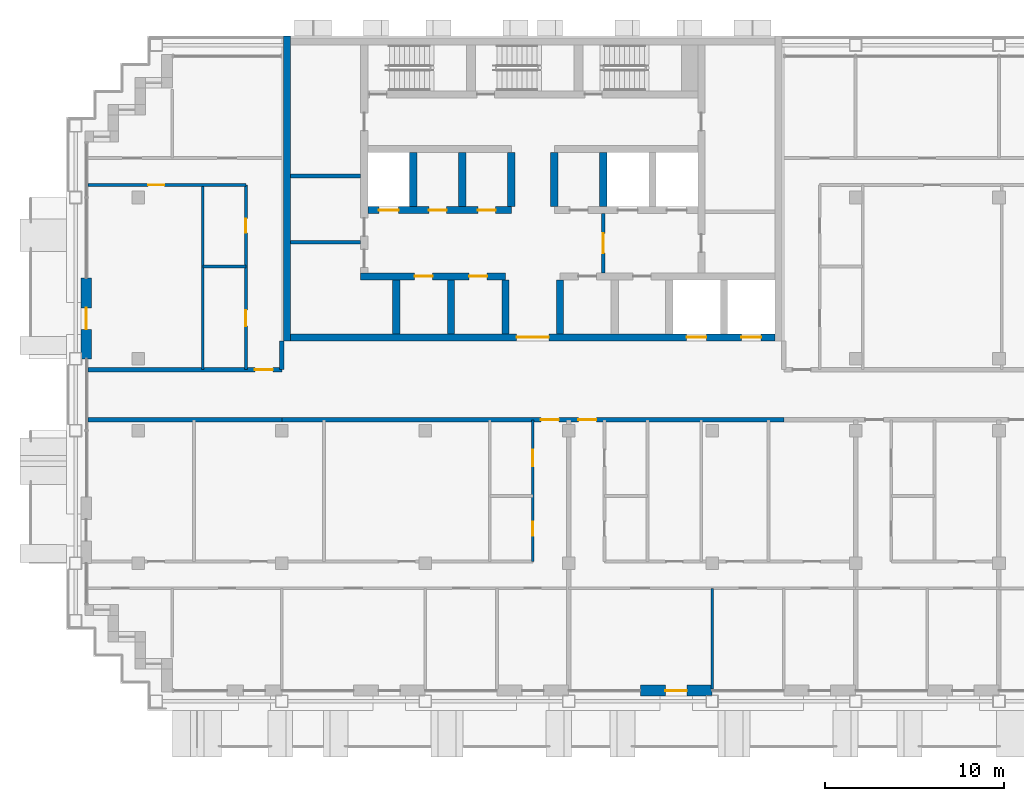
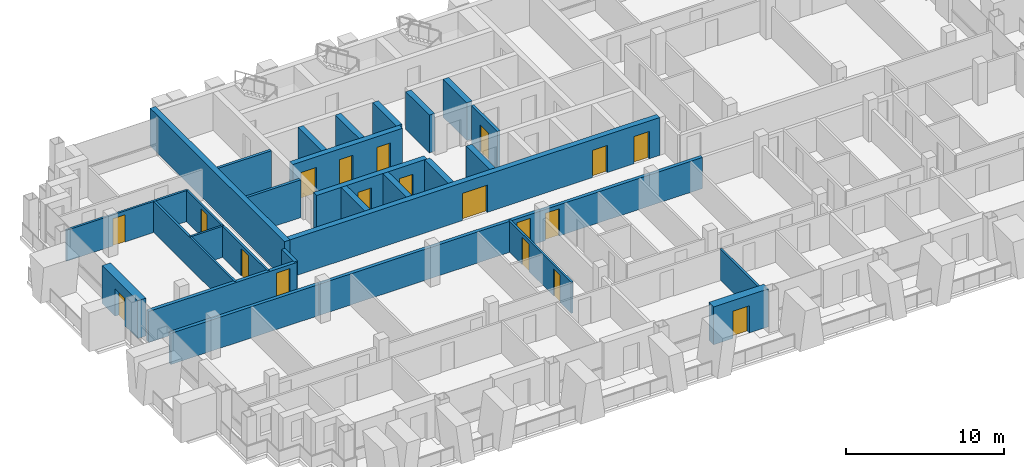
# One storey, part 8 of 16: 28 walls, 19 doors, 19 openings.
"""IFC4 building model written with IfcOpenShell, lengths in metres."""

from ifc_helpers import new_model, si_unit, direction, frame, frame_2d, origin, place, context, subcontext, project, spatial, rectangle, extrude, material, layer, layer_set, type_object, element, fill, save


model = new_model("IFC4")

# Units and contexts
model_context = context("Model", 3, precision=1e-05, world=origin(), true_north=direction((0.0, 1.0)))
body_context = subcontext(model_context, "Body", "Model", "MODEL_VIEW")
ifc_project = project(units=[si_unit("LENGTHUNIT", "METRE"), si_unit("AREAUNIT", "SQUARE_METRE"), si_unit("VOLUMEUNIT", "CUBIC_METRE"), si_unit("PLANEANGLEUNIT", "RADIAN"), si_unit("MASSUNIT", "GRAM", prefix="KILO")], contexts=[model_context])

# Site, building, storey
site_placement = place(None, origin())
site = spatial("IfcSite", under=ifc_project, at=site_placement, CompositionType="ELEMENT")
building_placement = place(site_placement, origin())
building = spatial("IfcBuilding", under=site, at=building_placement, Name="Vidyagriha Tower", CompositionType="ELEMENT")
storey_placement = place(building_placement, frame((0.0, 0.0, 178.10009765625)))
storey = spatial("IfcBuildingStorey", under=building, at=storey_placement, Name="L46", CompositionType="ELEMENT", Elevation=178.10009765625)

# Wall, opening, door
ifc_material_1 = material(Name="Precast concrete C40/50 with brick facing", Category="concrete")
ifc_layer_1 = layer(ifc_material_1, 0.60009765625)
ifc_layer_set_1 = layer_set([ifc_layer_1], Name="Precast concrete C40/50 with brick facing")
wall_type_1 = type_object("IfcWallType", Name="Brick-faced precast wall 600", PredefinedType="STANDARD", material=ifc_layer_set_1)
wall_1_placement = place(storey_placement, frame((-24.89990234375, 6.5, 0.0), z_axis=(0.0, 0.0, 1.0), x_axis=(0.0, -1.0, 0.0)))
wall_1 = element("IfcWall", 1, at=wall_1_placement, inside=storey, type_object=wall_type_1, Name="Brick door bay wall L46 R16.3", PredefinedType="STANDARD", context=body_context, shape_type="SweptSolid", body=[
    extrude(rectangle(XDim=4.5, YDim=0.60009765625, at=frame_2d((2.25, 0.0))), origin(), (0.0, 0.0, 1.0), 2.919921875),
])
opening_1_placement = place(wall_1_placement, frame((1.64990234375, 0.0, 0.0)))
opening_1 = element("IfcOpeningElement", 2, at=opening_1_placement, cuts=wall_1, Name="Opening D46-67", PredefinedType="OPENING", context=body_context, shape_type="SweptSolid", body=[
    extrude(rectangle(XDim=1.199951171875, YDim=2.10009765625, at=frame_2d((0.60009765625, 1.050048828125))), frame((0.0, 0.31005859375, 0.0), z_axis=(0.0, -1.0, 0.0), x_axis=(1.0, 0.0, 0.0)), (0.0, 0.0, 1.0), 0.6201171875),
])
ifc_material_2 = material(Name="Aluminium framed glazed sliding door", Category="aluminium")
door_type_1 = type_object("IfcDoorType", Name="Balcony sliding door 1200x2100", OperationType="NOTDEFINED", PredefinedType="DOOR", material=ifc_material_2)
door_1_placement = place(opening_1_placement, origin())
door_1 = element("IfcDoor", 3, at=door_1_placement, inside=storey, type_object=door_type_1, Name="Door D46-67", OperationType="SLIDING_TO_LEFT", OverallHeight=2.10009765625, OverallWidth=1.199951171875, PredefinedType="DOOR", context=body_context, shape_type="SweptSolid", body=[
    extrude(rectangle(XDim=1.199951171875, YDim=2.10009765625, at=frame_2d((0.60009765625, 1.050048828125))), frame((0.0, 0.02490234375, 0.0), z_axis=(0.0, -1.0, 0.0), x_axis=(1.0, 0.0, 0.0)), (0.0, 0.0, 1.0), 0.050048828125),
])
fill(opening_1, door_1)

wall_2_placement = place(storey_placement, frame((6.0, -16.5, 0.0)))
wall_2 = element("IfcWall", 4, at=wall_2_placement, inside=storey, type_object=wall_type_1, Name="Brick door bay wall L46 R23.8", PredefinedType="STANDARD", context=body_context, shape_type="SweptSolid", body=[
    extrude(rectangle(XDim=4.0, YDim=0.60009765625, at=frame_2d((2.0, 0.0))), origin(), (0.0, 0.0, 1.0), 2.919921875),
])
opening_2_placement = place(wall_2_placement, frame((1.39990234375, 0.0, 0.0)))
opening_2 = element("IfcOpeningElement", 5, at=opening_2_placement, cuts=wall_2, Name="Opening D46-72", PredefinedType="OPENING", context=body_context, shape_type="SweptSolid", body=[
    extrude(rectangle(XDim=1.199951171875, YDim=2.10009765625, at=frame_2d((0.60009765625, 1.050048828125))), frame((0.0, 0.31005859375, 0.0), z_axis=(0.0, -1.0, 0.0), x_axis=(1.0, 0.0, 0.0)), (0.0, 0.0, 1.0), 0.6201171875),
])
door_2_placement = place(opening_2_placement, origin())
door_2 = element("IfcDoor", 6, at=door_2_placement, inside=storey, type_object=door_type_1, Name="Door D46-72", OperationType="SLIDING_TO_LEFT", OverallHeight=2.10009765625, OverallWidth=1.199951171875, PredefinedType="DOOR", context=body_context, shape_type="SweptSolid", body=[
    extrude(rectangle(XDim=1.199951171875, YDim=2.10009765625, at=frame_2d((0.60009765625, 1.050048828125))), frame((0.0, 0.02490234375, 0.0), z_axis=(0.0, -1.0, 0.0), x_axis=(1.0, 0.0, 0.0)), (0.0, 0.0, 1.0), 0.050048828125),
])
fill(opening_2, door_2)

# Wall
ifc_material_3 = material(Name="Concrete C60/75", Category="concrete")
ifc_layer_2 = layer(ifc_material_3, 0.39990234375)
ifc_layer_set_2 = layer_set([ifc_layer_2], Name="Concrete C60/75")
wall_type_2 = type_object("IfcWallType", Name="Core shear wall 400 mm", PredefinedType="SHEAR", material=ifc_layer_set_2)
wall_3_placement = place(storey_placement, frame((-13.699951171875, 3.0, 0.0), z_axis=(0.0, 0.0, 1.0), x_axis=(0.0, 1.0, 0.0)))
element("IfcWall", 7, at=wall_3_placement, inside=storey, type_object=wall_type_2, Name="Core west wall", PredefinedType="SHEAR", context=body_context, shape_type="SweptSolid", body=[
    extrude(rectangle(XDim=17.0, YDim=0.39990234375, at=frame_2d((8.5, 0.0))), origin(), (0.0, 0.0, 1.0), 2.919921875),
])

# Wall, openings, doors
wall_4_placement = place(storey_placement, frame((-13.5, 3.199951171875, 0.0)))
wall_4 = element("IfcWall", 8, at=wall_4_placement, inside=storey, type_object=wall_type_2, Name="Core front wall", PredefinedType="SHEAR", context=body_context, shape_type="SweptSolid", body=[
    extrude(rectangle(XDim=27.0, YDim=0.39990234375, at=frame_2d((13.5, 0.0))), origin(), (0.0, 0.0, 1.0), 2.919921875),
])
opening_3_placement = place(wall_4_placement, frame((22.083251953125, 0.0, 0.0)))
opening_3 = element("IfcOpeningElement", 9, at=opening_3_placement, cuts=wall_4, Name="Opening LD46-01", PredefinedType="OPENING", context=body_context, shape_type="SweptSolid", body=[
    extrude(rectangle(XDim=1.10009765625, YDim=2.10009765625, at=frame_2d((0.550048828125, 1.050048828125))), frame((0.0, 0.2099609375, 0.0), z_axis=(0.0, -1.0, 0.0), x_axis=(1.0, 0.0, 0.0)), (0.0, 0.0, 1.0), 0.419921875),
])
opening_4_placement = place(wall_4_placement, frame((25.127685546875, 0.0, 0.0)))
opening_4 = element("IfcOpeningElement", 10, at=opening_4_placement, cuts=wall_4, Name="Opening LD46-02", PredefinedType="OPENING", context=body_context, shape_type="SweptSolid", body=[
    extrude(rectangle(XDim=1.10009765625, YDim=2.10009765625, at=frame_2d((0.550048828125, 1.050048828125))), frame((0.0, 0.2099609375, 0.0), z_axis=(0.0, -1.0, 0.0), x_axis=(1.0, 0.0, 0.0)), (0.0, 0.0, 1.0), 0.419921875),
])
opening_5_placement = place(wall_4_placement, frame((12.60009765625, 0.0, 0.0)))
opening_5 = element("IfcOpeningElement", 11, at=opening_5_placement, cuts=wall_4, Name="Opening D46-01", PredefinedType="OPENING", context=body_context, shape_type="SweptSolid", body=[
    extrude(rectangle(XDim=1.800048828125, YDim=2.10009765625, at=frame_2d((0.89990234375, 1.050048828125))), frame((0.0, 0.2099609375, 0.0), z_axis=(0.0, -1.0, 0.0), x_axis=(1.0, 0.0, 0.0)), (0.0, 0.0, 1.0), 0.419921875),
])
ifc_material_4 = material(Name="Hollow metal door leaf")
door_type_2 = type_object("IfcDoorType", Name="Core lobby double door 1800 x 2100 mm EI 60", OperationType="NOTDEFINED", PredefinedType="DOOR", material=ifc_material_4)
door_3_placement = place(opening_5_placement, frame((1.800048828125, 0.0, 0.0), z_axis=(0.0, 0.0, 1.0), x_axis=(-1.0, 0.0, 0.0)))
door_3 = element("IfcDoor", 12, at=door_3_placement, inside=storey, type_object=door_type_2, Name="Core entrance door L46", OperationType="DOUBLE_DOOR_SINGLE_SWING", OverallHeight=2.10009765625, OverallWidth=1.800048828125, PredefinedType="DOOR", context=body_context, shape_type="SweptSolid", body=[
    extrude(rectangle(XDim=1.800048828125, YDim=2.10009765625, at=frame_2d((0.89990234375, 1.050048828125))), frame((0.0, 0.02490234375, 0.0), z_axis=(0.0, -1.0, 0.0), x_axis=(1.0, 0.0, 0.0)), (0.0, 0.0, 1.0), 0.050048828125),
])
fill(opening_5, door_3)
ifc_material_5 = material(Name="Stainless steel sliding door panel", Category="steel")
door_type_3 = type_object("IfcDoorType", Name="Lift landing door 1100 x 2100 mm EI 90", OperationType="NOTDEFINED", PredefinedType="DOOR", material=ifc_material_5)
door_4_placement = place(opening_3_placement, origin())
door_4 = element("IfcDoor", 13, at=door_4_placement, inside=storey, type_object=door_type_3, Name="Landing door MR1 L46", OperationType="SLIDING_TO_LEFT", OverallHeight=2.10009765625, OverallWidth=1.10009765625, PredefinedType="DOOR", context=body_context, shape_type="SweptSolid", body=[
    extrude(rectangle(XDim=1.10009765625, YDim=2.10009765625, at=frame_2d((0.550048828125, 1.050048828125))), frame((0.0, 0.02490234375, 0.0), z_axis=(0.0, -1.0, 0.0), x_axis=(1.0, 0.0, 0.0)), (0.0, 0.0, 1.0), 0.050048828125),
])
fill(opening_3, door_4)
door_5_placement = place(opening_4_placement, origin())
door_5 = element("IfcDoor", 14, at=door_5_placement, inside=storey, type_object=door_type_3, Name="Landing door MR2 L46", OperationType="SLIDING_TO_LEFT", OverallHeight=2.10009765625, OverallWidth=1.10009765625, PredefinedType="DOOR", context=body_context, shape_type="SweptSolid", body=[
    extrude(rectangle(XDim=1.10009765625, YDim=2.10009765625, at=frame_2d((0.550048828125, 1.050048828125))), frame((0.0, 0.02490234375, 0.0), z_axis=(0.0, -1.0, 0.0), x_axis=(1.0, 0.0, 0.0)), (0.0, 0.0, 1.0), 0.050048828125),
])
fill(opening_4, door_5)

wall_5_placement = place(storey_placement, frame((-9.60009765625, 6.60009765625, 0.0)))
wall_5 = element("IfcWall", 15, at=wall_5_placement, inside=storey, type_object=wall_type_2, Name="Core lobby south wall west", PredefinedType="SHEAR", context=body_context, shape_type="SweptSolid", body=[
    extrude(rectangle(XDim=8.077880859375, YDim=0.39990234375, at=frame_2d((4.0390625, 0.0))), origin(), (0.0, 0.0, 1.0), 2.919921875),
])
opening_6_placement = place(wall_5_placement, frame((3.010986328125, 0.0, 0.0)))
opening_6 = element("IfcOpeningElement", 16, at=opening_6_placement, cuts=wall_5, Name="Opening D46-02", PredefinedType="OPENING", context=body_context, shape_type="SweptSolid", body=[
    extrude(rectangle(XDim=1.0, YDim=2.10009765625, at=frame_2d((0.5, 1.050048828125))), frame((0.0, 0.2099609375, 0.0), z_axis=(0.0, -1.0, 0.0), x_axis=(1.0, 0.0, 0.0)), (0.0, 0.0, 1.0), 0.419921875),
])
opening_7_placement = place(wall_5_placement, frame((6.0556640625, 0.0, 0.0)))
opening_7 = element("IfcOpeningElement", 17, at=opening_7_placement, cuts=wall_5, Name="Opening D46-03", PredefinedType="OPENING", context=body_context, shape_type="SweptSolid", body=[
    extrude(rectangle(XDim=1.0, YDim=2.10009765625, at=frame_2d((0.5, 1.050048828125))), frame((0.0, 0.2099609375, 0.0), z_axis=(0.0, -1.0, 0.0), x_axis=(1.0, 0.0, 0.0)), (0.0, 0.0, 1.0), 0.419921875),
])
ifc_material_6 = material(Name="Hollow metal door leaf")
door_type_4 = type_object("IfcDoorType", Name="Core room door 1000 x 2100 mm EI 60", OperationType="NOTDEFINED", PredefinedType="DOOR", material=ifc_material_6)
door_6_placement = place(opening_6_placement, origin())
door_6 = element("IfcDoor", 18, at=door_6_placement, inside=storey, type_object=door_type_4, Name="Door Refuse Room 46.01", OperationType="SINGLE_SWING_RIGHT", OverallHeight=2.10009765625, OverallWidth=1.0, PredefinedType="DOOR", context=body_context, shape_type="SweptSolid", body=[
    extrude(rectangle(XDim=1.0, YDim=2.10009765625, at=frame_2d((0.5, 1.050048828125))), frame((0.0, 0.02490234375, 0.0), z_axis=(0.0, -1.0, 0.0), x_axis=(1.0, 0.0, 0.0)), (0.0, 0.0, 1.0), 0.050048828125),
])
fill(opening_6, door_6)
door_7_placement = place(opening_7_placement, origin())
door_7 = element("IfcDoor", 19, at=door_7_placement, inside=storey, type_object=door_type_4, Name="Door Riser Room 46.02", OperationType="SINGLE_SWING_RIGHT", OverallHeight=2.10009765625, OverallWidth=1.0, PredefinedType="DOOR", context=body_context, shape_type="SweptSolid", body=[
    extrude(rectangle(XDim=1.0, YDim=2.10009765625, at=frame_2d((0.5, 1.050048828125))), frame((0.0, 0.02490234375, 0.0), z_axis=(0.0, -1.0, 0.0), x_axis=(1.0, 0.0, 0.0)), (0.0, 0.0, 1.0), 0.050048828125),
])
fill(opening_7, door_7)

# Walls
for number, where, z_axis, x_axis, name in (
    (20, (-7.611083984375, 3.39990234375, 0.0), (0.0, 0.0, 1.0), (0.0, 1.0, 0.0), "Core bay wall S2"),
    (21, (-4.566650390625, 3.39990234375, 0.0), (0.0, 0.0, 1.0), (0.0, 1.0, 0.0), "Core bay wall S3"),
    (22, (-1.522216796875, 3.39990234375, 0.0), (0.0, 0.0, 1.0), (0.0, 1.0, 0.0), "Core bay wall S4"),
    (23, (1.522216796875, 3.39990234375, 0.0), (0.0, 0.0, 1.0), (0.0, 1.0, 0.0), "Core bay wall S5"),
):
    element("IfcWall", number, at=place(storey_placement, frame(where, z_axis=z_axis, x_axis=x_axis)), inside=storey, type_object=wall_type_2, Name=name, PredefinedType="SHEAR", context=body_context, shape_type="SweptSolid", body=[
        extrude(rectangle(XDim=3.0, YDim=0.39990234375, at=frame_2d((1.5, 0.0))), origin(), (0.0, 0.0, 1.0), 2.919921875),
    ])

# Wall, openings, doors
wall_6_placement = place(storey_placement, frame((-9.199951171875, 10.300048828125, 0.0)))
wall_6 = element("IfcWall", 24, at=wall_6_placement, inside=storey, type_object=wall_type_2, Name="Core row N front wall", PredefinedType="SHEAR", context=body_context, shape_type="SweptSolid", body=[
    extrude(rectangle(XDim=8.0, YDim=0.39990234375, at=frame_2d((4.0, 0.0))), origin(), (0.0, 0.0, 1.0), 2.919921875),
])
opening_8_placement = place(wall_6_placement, frame((0.61669921875, 0.0, 0.0)))
opening_8 = element("IfcOpeningElement", 25, at=opening_8_placement, cuts=wall_6, Name="Opening LD46-03", PredefinedType="OPENING", context=body_context, shape_type="SweptSolid", body=[
    extrude(rectangle(XDim=1.10009765625, YDim=2.10009765625, at=frame_2d((0.550048828125, 1.050048828125))), frame((0.0, 0.2099609375, 0.0), z_axis=(0.0, -1.0, 0.0), x_axis=(1.0, 0.0, 0.0)), (0.0, 0.0, 1.0), 0.419921875),
])
opening_9_placement = place(wall_6_placement, frame((3.39990234375, 0.0, 0.0)))
opening_9 = element("IfcOpeningElement", 26, at=opening_9_placement, cuts=wall_6, Name="Opening D46-06", PredefinedType="OPENING", context=body_context, shape_type="SweptSolid", body=[
    extrude(rectangle(XDim=1.0, YDim=2.10009765625, at=frame_2d((0.5, 1.050048828125))), frame((0.0, 0.2099609375, 0.0), z_axis=(0.0, -1.0, 0.0), x_axis=(1.0, 0.0, 0.0)), (0.0, 0.0, 1.0), 0.419921875),
])
opening_10_placement = place(wall_6_placement, frame((6.13330078125, 0.0, 0.0)))
opening_10 = element("IfcOpeningElement", 27, at=opening_10_placement, cuts=wall_6, Name="Opening D46-07", PredefinedType="OPENING", context=body_context, shape_type="SweptSolid", body=[
    extrude(rectangle(XDim=1.0, YDim=2.10009765625, at=frame_2d((0.5, 1.050048828125))), frame((0.0, 0.2099609375, 0.0), z_axis=(0.0, -1.0, 0.0), x_axis=(1.0, 0.0, 0.0)), (0.0, 0.0, 1.0), 0.419921875),
])
door_8_placement = place(opening_9_placement, frame((1.0, 0.0, 0.0), z_axis=(0.0, 0.0, 1.0), x_axis=(-1.0, 0.0, 0.0)))
door_8 = element("IfcDoor", 28, at=door_8_placement, inside=storey, type_object=door_type_4, Name="Door Electrical Room 46.14", OperationType="SINGLE_SWING_RIGHT", OverallHeight=2.10009765625, OverallWidth=1.0, PredefinedType="DOOR", context=body_context, shape_type="SweptSolid", body=[
    extrude(rectangle(XDim=1.0, YDim=2.10009765625, at=frame_2d((0.5, 1.050048828125))), frame((0.0, 0.02490234375, 0.0), z_axis=(0.0, -1.0, 0.0), x_axis=(1.0, 0.0, 0.0)), (0.0, 0.0, 1.0), 0.050048828125),
])
fill(opening_9, door_8)
door_9_placement = place(opening_10_placement, frame((1.0, 0.0, 0.0), z_axis=(0.0, 0.0, 1.0), x_axis=(-1.0, 0.0, 0.0)))
door_9 = element("IfcDoor", 29, at=door_9_placement, inside=storey, type_object=door_type_4, Name="Door Cleaners Store 46.15", OperationType="SINGLE_SWING_LEFT", OverallHeight=2.10009765625, OverallWidth=1.0, PredefinedType="DOOR", context=body_context, shape_type="SweptSolid", body=[
    extrude(rectangle(XDim=1.0, YDim=2.10009765625, at=frame_2d((0.5, 1.050048828125))), frame((0.0, 0.02490234375, 0.0), z_axis=(0.0, -1.0, 0.0), x_axis=(1.0, 0.0, 0.0)), (0.0, 0.0, 1.0), 0.050048828125),
])
fill(opening_10, door_9)
door_10_placement = place(opening_8_placement, origin())
door_10 = element("IfcDoor", 30, at=door_10_placement, inside=storey, type_object=door_type_3, Name="Landing door MR3 L46", OperationType="SLIDING_TO_LEFT", OverallHeight=2.10009765625, OverallWidth=1.10009765625, PredefinedType="DOOR", context=body_context, shape_type="SweptSolid", body=[
    extrude(rectangle(XDim=1.10009765625, YDim=2.10009765625, at=frame_2d((0.550048828125, 1.050048828125))), frame((0.0, 0.02490234375, 0.0), z_axis=(0.0, -1.0, 0.0), x_axis=(1.0, 0.0, 0.0)), (0.0, 0.0, 1.0), 0.050048828125),
])
fill(opening_8, door_10)

# Walls
for number, where, z_axis, x_axis, name in (
    (31, (-6.666748046875, 10.5, 0.0), (0.0, 0.0, 1.0), (0.0, 1.0, 0.0), "Core bay wall N1"),
    (32, (-3.933349609375, 10.5, 0.0), (0.0, 0.0, 1.0), (0.0, 1.0, 0.0), "Core bay wall N2"),
    (33, (-1.199951171875, 10.5, 0.0), (0.0, 0.0, 1.0), (0.0, 1.0, 0.0), "Core bay wall N3"),
    (34, (1.199951171875, 10.5, 0.0), (0.0, 0.0, 1.0), (0.0, 1.0, 0.0), "Core bay wall N4"),
    (35, (3.933349609375, 10.5, 0.0), (0.0, 0.0, 1.0), (0.0, 1.0, 0.0), "Core bay wall N5"),
):
    element("IfcWall", number, at=place(storey_placement, frame(where, z_axis=z_axis, x_axis=x_axis)), inside=storey, type_object=wall_type_2, Name=name, PredefinedType="SHEAR", context=body_context, shape_type="SweptSolid", body=[
        extrude(rectangle(XDim=3.0, YDim=0.39990234375, at=frame_2d((1.5, 0.0))), origin(), (0.0, 0.0, 1.0), 2.919921875),
    ])
ifc_material_7 = material(Name="Fired clay brick masonry", Category="masonry")
ifc_layer_3 = layer(ifc_material_7, 0.25)
ifc_layer_set_3 = layer_set([ifc_layer_3], Name="Fired clay brick masonry")
wall_type_3 = type_object("IfcWallType", Name="Fired clay brick corridor wall 250", PredefinedType="PARTITIONING", material=ifc_layer_set_3)
wall_7_placement = place(storey_placement, frame((-14.0, -1.39990234375, 0.0), z_axis=(0.0, 0.0, 1.0), x_axis=(-1.0, 0.0, 0.0)))
element("IfcWall", 36, at=wall_7_placement, inside=storey, type_object=wall_type_3, Name="Wall all-L46-w068", PredefinedType="PARTITIONING", context=body_context, shape_type="SweptSolid", body=[
    extrude(rectangle(XDim=10.820068359375, YDim=0.25, at=frame_2d((5.41015625, 0.0))), origin(), (0.0, 0.0, 1.0), 2.39990234375),
])

# Wall, opening, door
wall_8_placement = place(storey_placement, frame((-24.820068359375, 1.39990234375, 0.0)))
wall_8 = element("IfcWall", 37, at=wall_8_placement, inside=storey, type_object=wall_type_3, Name="Wall all-L46-w083", PredefinedType="PARTITIONING", context=body_context, shape_type="SweptSolid", body=[
    extrude(rectangle(XDim=10.820068359375, YDim=0.25, at=frame_2d((5.41015625, 0.0))), origin(), (0.0, 0.0, 1.0), 2.39990234375),
])
opening_11_placement = place(wall_8_placement, frame((9.320068359375, 0.0, 0.0)))
opening_11 = element("IfcOpeningElement", 38, at=opening_11_placement, cuts=wall_8, Name="Opening D46-55", PredefinedType="OPENING", context=body_context, shape_type="SweptSolid", body=[
    extrude(rectangle(XDim=1.0, YDim=2.10009765625, at=frame_2d((0.5, 1.050048828125))), frame((0.0, 0.135009765625, 0.0), z_axis=(0.0, -1.0, 0.0), x_axis=(1.0, 0.0, 0.0)), (0.0, 0.0, 1.0), 0.27001953125),
])
ifc_material_8 = material(Name="Fire-rated timber door leaf EI 60", Category="wood")
door_type_5 = type_object("IfcDoorType", Name="Flat entrance fire door 1000x2100", OperationType="NOTDEFINED", PredefinedType="DOOR", material=ifc_material_8)
door_11_placement = place(opening_11_placement, origin())
door_11 = element("IfcDoor", 39, at=door_11_placement, inside=storey, type_object=door_type_5, Name="Door D46-55", OperationType="SINGLE_SWING_RIGHT", OverallHeight=2.10009765625, OverallWidth=1.0, PredefinedType="DOOR", context=body_context, shape_type="SweptSolid", body=[
    extrude(rectangle(XDim=1.0, YDim=2.10009765625, at=frame_2d((0.5, 1.050048828125))), frame((0.0, 0.02490234375, 0.0), z_axis=(0.0, -1.0, 0.0), x_axis=(1.0, 0.0, 0.0)), (0.0, 0.0, 1.0), 0.050048828125),
])
fill(opening_11, door_11)

# Wall, openings, doors
wall_9_placement = place(storey_placement, frame((14.0, -1.39990234375, 0.0), z_axis=(0.0, 0.0, 1.0), x_axis=(-1.0, 0.0, 0.0)))
wall_9 = element("IfcWall", 40, at=wall_9_placement, inside=storey, type_object=wall_type_3, Name="Wall all-L46-w108", PredefinedType="PARTITIONING", context=body_context, shape_type="SweptSolid", body=[
    extrude(rectangle(XDim=28.0, YDim=0.25, at=frame_2d((14.0, 0.0))), origin(), (0.0, 0.0, 1.0), 2.39990234375),
])
opening_12_placement = place(wall_9_placement, frame((12.547119140625, 0.0, 0.0)))
opening_12 = element("IfcOpeningElement", 41, at=opening_12_placement, cuts=wall_9, Name="Opening D46-28", PredefinedType="OPENING", context=body_context, shape_type="SweptSolid", body=[
    extrude(rectangle(XDim=1.0, YDim=2.10009765625, at=frame_2d((0.5, 1.050048828125))), frame((0.0, 0.135009765625, 0.0), z_axis=(0.0, -1.0, 0.0), x_axis=(1.0, 0.0, 0.0)), (0.0, 0.0, 1.0), 0.27001953125),
])
opening_13_placement = place(wall_9_placement, frame((10.452880859375, 0.0, 0.0)))
opening_13 = element("IfcOpeningElement", 42, at=opening_13_placement, cuts=wall_9, Name="Opening D46-37", PredefinedType="OPENING", context=body_context, shape_type="SweptSolid", body=[
    extrude(rectangle(XDim=1.0, YDim=2.10009765625, at=frame_2d((0.5, 1.050048828125))), frame((0.0, 0.135009765625, 0.0), z_axis=(0.0, -1.0, 0.0), x_axis=(1.0, 0.0, 0.0)), (0.0, 0.0, 1.0), 0.27001953125),
])
door_12_placement = place(opening_12_placement, origin())
door_12 = element("IfcDoor", 43, at=door_12_placement, inside=storey, type_object=door_type_5, Name="Door D46-28", OperationType="SINGLE_SWING_LEFT", OverallHeight=2.10009765625, OverallWidth=1.0, PredefinedType="DOOR", context=body_context, shape_type="SweptSolid", body=[
    extrude(rectangle(XDim=1.0, YDim=2.10009765625, at=frame_2d((0.5, 1.050048828125))), frame((0.0, 0.02490234375, 0.0), z_axis=(0.0, -1.0, 0.0), x_axis=(1.0, 0.0, 0.0)), (0.0, 0.0, 1.0), 0.050048828125),
])
fill(opening_12, door_12)
door_13_placement = place(opening_13_placement, origin())
door_13 = element("IfcDoor", 44, at=door_13_placement, inside=storey, type_object=door_type_5, Name="Door D46-37", OperationType="SINGLE_SWING_RIGHT", OverallHeight=2.10009765625, OverallWidth=1.0, PredefinedType="DOOR", context=body_context, shape_type="SweptSolid", body=[
    extrude(rectangle(XDim=1.0, YDim=2.10009765625, at=frame_2d((0.5, 1.050048828125))), frame((0.0, 0.02490234375, 0.0), z_axis=(0.0, -1.0, 0.0), x_axis=(1.0, 0.0, 0.0)), (0.0, 0.0, 1.0), 0.050048828125),
])
fill(opening_13, door_13)

# Walls
wall_10_placement = place(storey_placement, frame((-14.0, 3.0, 0.0), z_axis=(0.0, 0.0, 1.0), x_axis=(0.0, -1.0, 0.0)))
element("IfcWall", 45, at=wall_10_placement, inside=storey, type_object=wall_type_3, Name="Wall all-L46-w109", PredefinedType="PARTITIONING", context=body_context, shape_type="SweptSolid", body=[
    extrude(rectangle(XDim=1.60009765625, YDim=0.25, at=frame_2d((0.800048828125, 0.0))), origin(), (0.0, 0.0, 1.0), 2.39990234375),
])
ifc_material_9 = material(Name="Gypsum board partition")
ifc_layer_4 = layer(ifc_material_9, 0.14990234375)
ifc_layer_set_4 = layer_set([ifc_layer_4], Name="Gypsum board partition")
wall_type_4 = type_object("IfcWallType", Name="Gypsum board partition 150", PredefinedType="PARTITIONING", material=ifc_layer_set_4)
wall_11_placement = place(storey_placement, frame((10.0, -10.800048828125, 0.0), z_axis=(0.0, 0.0, 1.0), x_axis=(0.0, -1.0, 0.0)))
element("IfcWall", 46, at=wall_11_placement, inside=storey, type_object=wall_type_4, Name="Wall all-L46-w038", PredefinedType="PARTITIONING", context=body_context, shape_type="SweptSolid", body=[
    extrude(rectangle(XDim=5.60986328125, YDim=0.14990234375, at=frame_2d((2.804931640625, 0.0))), origin(), (0.0, 0.0, 1.0), 2.39990234375),
])
wall_12_placement = place(storey_placement, frame((-18.39990234375, 7.14990234375, 0.0)))
element("IfcWall", 47, at=wall_12_placement, inside=storey, type_object=wall_type_4, Name="Wall all-L46-w074", PredefinedType="PARTITIONING", context=body_context, shape_type="SweptSolid", body=[
    extrude(rectangle(XDim=2.39990234375, YDim=0.14990234375, at=frame_2d((1.199951171875, 0.0))), origin(), (0.0, 0.0, 1.0), 2.39990234375),
])
wall_13_placement = place(storey_placement, frame((-18.39990234375, 1.39990234375, 0.0), z_axis=(0.0, 0.0, 1.0), x_axis=(0.0, 1.0, 0.0)))
element("IfcWall", 48, at=wall_13_placement, inside=storey, type_object=wall_type_4, Name="Wall all-L46-w075", PredefinedType="PARTITIONING", context=body_context, shape_type="SweptSolid", body=[
    extrude(rectangle(XDim=10.300048828125, YDim=0.14990234375, at=frame_2d((5.14990234375, 0.0))), origin(), (0.0, 0.0, 1.0), 2.39990234375),
])

# Wall, opening, door
wall_14_placement = place(storey_placement, frame((-16.0, 11.699951171875, 0.0), z_axis=(0.0, 0.0, 1.0), x_axis=(-1.0, 0.0, 0.0)))
wall_14 = element("IfcWall", 49, at=wall_14_placement, inside=storey, type_object=wall_type_4, Name="Wall all-L46-w076", PredefinedType="PARTITIONING", context=body_context, shape_type="SweptSolid", body=[
    extrude(rectangle(XDim=8.820068359375, YDim=0.14990234375, at=frame_2d((4.41015625, 0.0))), origin(), (0.0, 0.0, 1.0), 2.39990234375),
])
opening_14_placement = place(wall_14_placement, frame((4.552978515625, 0.0, 0.0)))
opening_14 = element("IfcOpeningElement", 50, at=opening_14_placement, cuts=wall_14, Name="Opening D46-52", PredefinedType="OPENING", context=body_context, shape_type="SweptSolid", body=[
    extrude(rectangle(XDim=0.89990234375, YDim=2.10009765625, at=frame_2d((0.449951171875, 1.050048828125))), frame((0.0, 0.0849609375, 0.0), z_axis=(0.0, -1.0, 0.0), x_axis=(1.0, 0.0, 0.0)), (0.0, 0.0, 1.0), 0.169921875),
])
ifc_material_10 = material(Name="Timber door leaf", Category="wood")
door_type_6 = type_object("IfcDoorType", Name="Room door 900x2100", OperationType="NOTDEFINED", PredefinedType="DOOR", material=ifc_material_10)
door_14_placement = place(opening_14_placement, origin())
door_14 = element("IfcDoor", 51, at=door_14_placement, inside=storey, type_object=door_type_6, Name="Door D46-52", OperationType="SINGLE_SWING_LEFT", OverallHeight=2.10009765625, OverallWidth=0.89990234375, PredefinedType="DOOR", context=body_context, shape_type="SweptSolid", body=[
    extrude(rectangle(XDim=0.89990234375, YDim=2.10009765625, at=frame_2d((0.449951171875, 1.050048828125))), frame((0.0, 0.02490234375, 0.0), z_axis=(0.0, -1.0, 0.0), x_axis=(1.0, 0.0, 0.0)), (0.0, 0.0, 1.0), 0.050048828125),
])
fill(opening_14, door_14)

# Wall, openings, doors
ifc_material_11 = material(Name="Moisture resistant gypsum board partition")
ifc_layer_5 = layer(ifc_material_11, 0.14990234375)
ifc_layer_set_5 = layer_set([ifc_layer_5], Name="Moisture resistant gypsum board partition")
wall_type_5 = type_object("IfcWallType", Name="Gypsum board wet-area partition 150", PredefinedType="PARTITIONING", material=ifc_layer_set_5)
wall_15_placement = place(storey_placement, frame((0.0, -9.300048828125, 0.0), z_axis=(0.0, 0.0, 1.0), x_axis=(0.0, 1.0, 0.0)))
wall_15 = element("IfcWall", 52, at=wall_15_placement, inside=storey, type_object=wall_type_5, Name="Wall all-L46-w001", PredefinedType="PARTITIONING", context=body_context, shape_type="SweptSolid", body=[
    extrude(rectangle(XDim=7.900146484375, YDim=0.14990234375, at=frame_2d((3.9501953125, 0.0))), origin(), (0.0, 0.0, 1.0), 2.39990234375),
])
opening_15_placement = place(wall_15_placement, frame((5.324951171875, 0.0, 0.0)))
opening_15 = element("IfcOpeningElement", 53, at=opening_15_placement, cuts=wall_15, Name="Opening D46-18", PredefinedType="OPENING", context=body_context, shape_type="SweptSolid", body=[
    extrude(rectangle(XDim=0.89990234375, YDim=2.10009765625, at=frame_2d((0.449951171875, 1.050048828125))), frame((0.0, 0.0849609375, 0.0), z_axis=(0.0, -1.0, 0.0), x_axis=(1.0, 0.0, 0.0)), (0.0, 0.0, 1.0), 0.169921875),
])
opening_16_placement = place(wall_15_placement, frame((1.425048828125, 0.0, 0.0)))
opening_16 = element("IfcOpeningElement", 54, at=opening_16_placement, cuts=wall_15, Name="Opening D46-19", PredefinedType="OPENING", context=body_context, shape_type="SweptSolid", body=[
    extrude(rectangle(XDim=0.800048828125, YDim=2.10009765625, at=frame_2d((0.39990234375, 1.050048828125))), frame((0.0, 0.0849609375, 0.0), z_axis=(0.0, -1.0, 0.0), x_axis=(1.0, 0.0, 0.0)), (0.0, 0.0, 1.0), 0.169921875),
])
ifc_material_12 = material(Name="Timber door leaf", Category="wood")
door_type_7 = type_object("IfcDoorType", Name="Bathroom door 800x2100", OperationType="NOTDEFINED", PredefinedType="DOOR", material=ifc_material_12)
door_15_placement = place(opening_16_placement, origin())
door_15 = element("IfcDoor", 55, at=door_15_placement, inside=storey, type_object=door_type_7, Name="Door D46-19", OperationType="SINGLE_SWING_RIGHT", OverallHeight=2.10009765625, OverallWidth=0.800048828125, PredefinedType="DOOR", context=body_context, shape_type="SweptSolid", body=[
    extrude(rectangle(XDim=0.800048828125, YDim=2.10009765625, at=frame_2d((0.39990234375, 1.050048828125))), frame((0.0, 0.02490234375, 0.0), z_axis=(0.0, -1.0, 0.0), x_axis=(1.0, 0.0, 0.0)), (0.0, 0.0, 1.0), 0.050048828125),
])
fill(opening_16, door_15)
ifc_material_13 = material(Name="Timber door leaf", Category="wood")
door_type_8 = type_object("IfcDoorType", Name="Kitchen door 900x2100", OperationType="NOTDEFINED", PredefinedType="DOOR", material=ifc_material_13)
door_16_placement = place(opening_15_placement, origin())
door_16 = element("IfcDoor", 56, at=door_16_placement, inside=storey, type_object=door_type_8, Name="Door D46-18", OperationType="SINGLE_SWING_LEFT", OverallHeight=2.10009765625, OverallWidth=0.89990234375, PredefinedType="DOOR", context=body_context, shape_type="SweptSolid", body=[
    extrude(rectangle(XDim=0.89990234375, YDim=2.10009765625, at=frame_2d((0.449951171875, 1.050048828125))), frame((0.0, 0.02490234375, 0.0), z_axis=(0.0, -1.0, 0.0), x_axis=(1.0, 0.0, 0.0)), (0.0, 0.0, 1.0), 0.050048828125),
])
fill(opening_15, door_16)

wall_16_placement = place(storey_placement, frame((-16.0, 1.39990234375, 0.0), z_axis=(0.0, 0.0, 1.0), x_axis=(0.0, 1.0, 0.0)))
wall_16 = element("IfcWall", 57, at=wall_16_placement, inside=storey, type_object=wall_type_5, Name="Wall all-L46-w071", PredefinedType="PARTITIONING", context=body_context, shape_type="SweptSolid", body=[
    extrude(rectangle(XDim=10.300048828125, YDim=0.14990234375, at=frame_2d((5.14990234375, 0.0))), origin(), (0.0, 0.0, 1.0), 2.39990234375),
])
opening_17_placement = place(wall_16_placement, frame((2.425048828125, 0.0, 0.0)))
opening_17 = element("IfcOpeningElement", 58, at=opening_17_placement, cuts=wall_16, Name="Opening D46-50", PredefinedType="OPENING", context=body_context, shape_type="SweptSolid", body=[
    extrude(rectangle(XDim=0.89990234375, YDim=2.10009765625, at=frame_2d((0.449951171875, 1.050048828125))), frame((0.0, 0.0849609375, 0.0), z_axis=(0.0, -1.0, 0.0), x_axis=(1.0, 0.0, 0.0)), (0.0, 0.0, 1.0), 0.169921875),
])
opening_18_placement = place(wall_16_placement, frame((7.625, 0.0, 0.0)))
opening_18 = element("IfcOpeningElement", 59, at=opening_18_placement, cuts=wall_16, Name="Opening D46-51", PredefinedType="OPENING", context=body_context, shape_type="SweptSolid", body=[
    extrude(rectangle(XDim=0.800048828125, YDim=2.10009765625, at=frame_2d((0.39990234375, 1.050048828125))), frame((0.0, 0.0849609375, 0.0), z_axis=(0.0, -1.0, 0.0), x_axis=(1.0, 0.0, 0.0)), (0.0, 0.0, 1.0), 0.169921875),
])
door_17_placement = place(opening_18_placement, origin())
door_17 = element("IfcDoor", 60, at=door_17_placement, inside=storey, type_object=door_type_7, Name="Door D46-51", OperationType="SINGLE_SWING_RIGHT", OverallHeight=2.10009765625, OverallWidth=0.800048828125, PredefinedType="DOOR", context=body_context, shape_type="SweptSolid", body=[
    extrude(rectangle(XDim=0.800048828125, YDim=2.10009765625, at=frame_2d((0.39990234375, 1.050048828125))), frame((0.0, 0.02490234375, 0.0), z_axis=(0.0, -1.0, 0.0), x_axis=(1.0, 0.0, 0.0)), (0.0, 0.0, 1.0), 0.050048828125),
])
fill(opening_18, door_17)
door_18_placement = place(opening_17_placement, origin())
door_18 = element("IfcDoor", 61, at=door_18_placement, inside=storey, type_object=door_type_8, Name="Door D46-50", OperationType="SINGLE_SWING_RIGHT", OverallHeight=2.10009765625, OverallWidth=0.89990234375, PredefinedType="DOOR", context=body_context, shape_type="SweptSolid", body=[
    extrude(rectangle(XDim=0.89990234375, YDim=2.10009765625, at=frame_2d((0.449951171875, 1.050048828125))), frame((0.0, 0.02490234375, 0.0), z_axis=(0.0, -1.0, 0.0), x_axis=(1.0, 0.0, 0.0)), (0.0, 0.0, 1.0), 0.050048828125),
])
fill(opening_17, door_18)

# Wall, opening, door
ifc_material_14 = material(Name="Blockwork 15 MPa", Category="masonry")
ifc_layer_6 = layer(ifc_material_14, 0.199951171875)
ifc_layer_set_6 = layer_set([ifc_layer_6], Name="Blockwork 15 MPa")
wall_type_6 = type_object("IfcWallType", Name="Service room partition 200 mm", PredefinedType="PARTITIONING", material=ifc_layer_set_6)
wall_17_placement = place(storey_placement, frame((3.933349609375, 6.800048828125, 0.0), z_axis=(0.0, 0.0, 1.0), x_axis=(0.0, 1.0, 0.0)))
wall_17 = element("IfcWall", 62, at=wall_17_placement, inside=storey, type_object=wall_type_6, Name="Fire-fighting lobby west wall", PredefinedType="PARTITIONING", context=body_context, shape_type="SweptSolid", body=[
    extrude(rectangle(XDim=3.300048828125, YDim=0.199951171875, at=frame_2d((1.64990234375, 0.0))), origin(), (0.0, 0.0, 1.0), 2.919921875),
])
opening_19_placement = place(wall_17_placement, frame((1.10009765625, 0.0, 0.0)))
opening_19 = element("IfcOpeningElement", 63, at=opening_19_placement, cuts=wall_17, Name="Opening D46-09", PredefinedType="OPENING", context=body_context, shape_type="SweptSolid", body=[
    extrude(rectangle(XDim=1.10009765625, YDim=2.10009765625, at=frame_2d((0.550048828125, 1.050048828125))), frame((0.0, 0.10986328125, 0.0), z_axis=(0.0, -1.0, 0.0), x_axis=(1.0, 0.0, 0.0)), (0.0, 0.0, 1.0), 0.219970703125),
])
ifc_material_15 = material(Name="Hollow metal door leaf")
door_type_9 = type_object("IfcDoorType", Name="Fire-fighting lobby door 1100 x 2100 mm EI 90", OperationType="NOTDEFINED", PredefinedType="DOOR", material=ifc_material_15)
door_19_placement = place(opening_19_placement, origin())
door_19 = element("IfcDoor", 64, at=door_19_placement, inside=storey, type_object=door_type_9, Name="Fire-fighting lobby door L46", OperationType="SINGLE_SWING_RIGHT", OverallHeight=2.10009765625, OverallWidth=1.10009765625, PredefinedType="DOOR", context=body_context, shape_type="SweptSolid", body=[
    extrude(rectangle(XDim=1.10009765625, YDim=2.10009765625, at=frame_2d((0.550048828125, 1.050048828125))), frame((0.0, 0.02490234375, 0.0), z_axis=(0.0, -1.0, 0.0), x_axis=(1.0, 0.0, 0.0)), (0.0, 0.0, 1.0), 0.050048828125),
])
fill(opening_19, door_19)

# Walls
for number, where, name in (
    (65, (-13.5, 8.5, 0.0), "Core room partition W1"),
    (66, (-13.5, 12.199951171875, 0.0), "Core room partition W2"),
):
    element("IfcWall", number, at=place(storey_placement, frame(where)), inside=storey, type_object=wall_type_6, Name=name, PredefinedType="PARTITIONING", context=body_context, shape_type="SweptSolid", body=[
        extrude(rectangle(XDim=3.89990234375, YDim=0.199951171875, at=frame_2d((1.949951171875, 0.0))), origin(), (0.0, 0.0, 1.0), 2.919921875),
    ])

save(model, "model.ifc")
